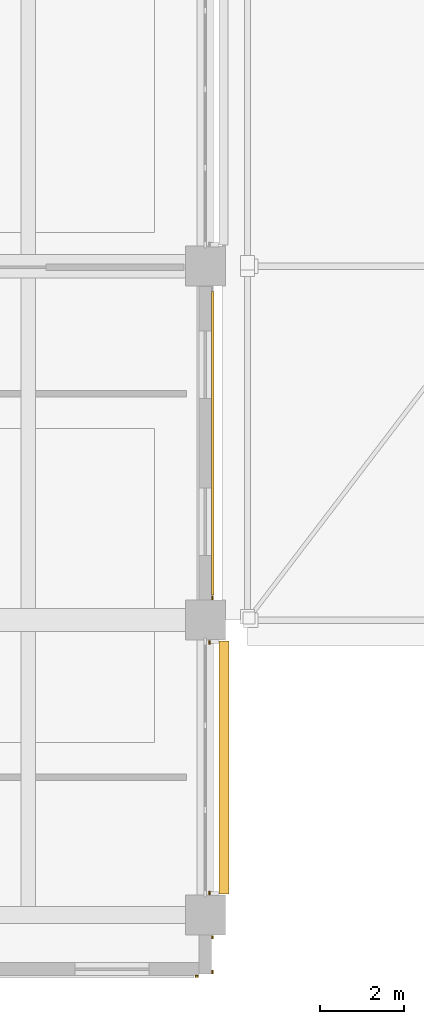
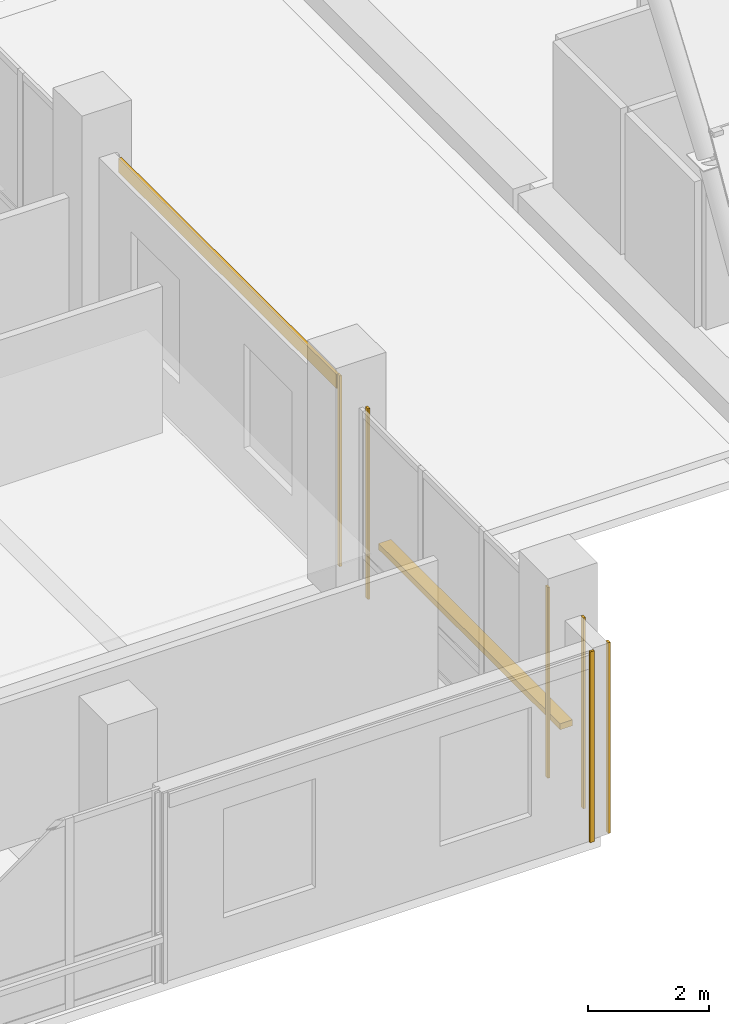
# One storey, part 110 of 128: 7 coverings, 1 shading device.
"""IFC4 building model written with IfcOpenShell, lengths in metres."""

from ifc_helpers import new_model, si_unit, direction, frame, origin, origin_2d, place, context, subcontext, project, spatial, rectangle, extrude, material, layer, layer_set, type_object, element, save


model = new_model("IFC4")

# Units and contexts
model_context = context("Model", 3, precision=1e-05, world=origin(), true_north=direction((0.0, 1.0)))
body_context = subcontext(model_context, "Body", "Model", "MODEL_VIEW")
ifc_project = project(units=[si_unit("LENGTHUNIT", "METRE"), si_unit("AREAUNIT", "SQUARE_METRE"), si_unit("VOLUMEUNIT", "CUBIC_METRE"), si_unit("PLANEANGLEUNIT", "RADIAN"), si_unit("MASSUNIT", "GRAM", prefix="KILO")], contexts=[model_context])

# Site, building, storey
site_placement = place(None, origin())
site = spatial("IfcSite", under=ifc_project, at=site_placement, CompositionType="ELEMENT")
building_placement = place(site_placement, origin())
building = spatial("IfcBuilding", under=site, at=building_placement, Name="Telukmera Botanical Conservatory", CompositionType="ELEMENT")
storey_placement = place(building_placement, frame((0.0, 0.0, 5.39990234375)))
storey = spatial("IfcBuildingStorey", under=building, at=storey_placement, Name="L01", CompositionType="ELEMENT", Elevation=5.39990234375)

# Coverings
ifc_material_1 = material(Name="Granite-faced precast concrete C40/50", Category="masonry")
ifc_layer_1 = layer(ifc_material_1, 0.0400390625)
ifc_layer_set_1 = layer_set([ifc_layer_1], Name="Granite-faced precast concrete C40/50")
covering_type_1 = type_object("IfcCoveringType", Name="Granite Precast Column Pier Reveal Casing", PredefinedType="CLADDING", material=ifc_layer_set_1)
for number, where, z_axis, x_axis, name in (
    (1, (109.3701171875, 9.25, 0.0), (0.0, 0.0, 1.0), (0.0, 1.0, 0.0), "Granite Pier Reveal V4:L01:SEC L"),
    (2, (109.3701171875, 10.072998046875, 0.0), (0.0, 0.0, 1.0), (0.0, 1.0, 0.0), "Granite Pier Reveal V4:L01:SEC R"),
    (3, (108.998046875, 9.14990234375, 0.0), (0.0, 0.0, 1.0), (1.0, 0.0, 0.0), "Granite Pier Reveal V4:L01:S7 R"),
    (4, (109.300048828125, 11.126953125, 0.0), (0.0, 0.0, 1.0), (0.0, 1.0, 0.0), "Granite Pier Reveal V4:L01:E1 L"),
    (5, (109.300048828125, 17.072998046875, 0.0), (0.0, 0.0, 1.0), (0.0, 1.0, 0.0), "Granite Pier Reveal V4:L01:E1 R"),
    (6, (109.3701171875, 18.126953125, 0.0), (0.0, 0.0, 1.0), (0.0, 1.0, 0.0), "Granite Pier Reveal V4:L01:E2 L"),
):
    element("IfcCovering", number, at=place(storey_placement, frame(where, z_axis=z_axis, x_axis=x_axis)), inside=storey, type_object=covering_type_1, Name=name, PredefinedType="CLADDING", context=body_context, shape_type="SweptSolid", body=[
        extrude(rectangle(XDim=0.080078125, YDim=0.0400390625, at=origin_2d()), origin(), (0.0, 0.0, 1.0), 3.85009765625),
    ])

# Shading device
ifc_material_2 = material(Name="Perforated terracotta-anodised aluminium 6063-T6", Category="masonry")
ifc_layer_2 = layer(ifc_material_2, 0.044921875)
ifc_layer_set_2 = layer_set([ifc_layer_2], Name="Perforated terracotta-anodised aluminium 6063-T6")
shading_device_type = type_object("IfcShadingDeviceType", Name="Perforated Terracotta Aluminium Monsoon Brise Soleil", PredefinedType="JALOUSIE", material=ifc_layer_set_2)
shading_device_placement = place(storey_placement, frame((109.639892578125, 14.10009765625, 0.89013671875), z_axis=(0.0, 0.0, 1.0), x_axis=(0.0, 1.0, 0.0)))
element("IfcShadingDevice", 7, at=shading_device_placement, inside=storey, type_object=shading_device_type, Name="Monsoon Shading BS01 V4:L01:E1", PredefinedType="JALOUSIE", context=body_context, shape_type="SweptSolid", body=[
    extrude(rectangle(XDim=6.006103515625, YDim=0.239990234375, at=origin_2d()), origin(), (0.0, 0.0, 1.0), 0.1201171875),
])

# Covering
ifc_material_3 = material(Name="Terracotta-faced precast concrete C40/50", Category="masonry")
ifc_layer_3 = layer(ifc_material_3, 0.06005859375)
ifc_layer_set_3 = layer_set([ifc_layer_3], Name="Terracotta-faced precast concrete C40/50")
covering_type_2 = type_object("IfcCoveringType", Name="Polychrome Terracotta Facade Band Cladding", PredefinedType="CLADDING", material=ifc_layer_set_3)
covering_placement = place(storey_placement, frame((109.3798828125, 21.800048828125, 3.5302734375), z_axis=(0.0, 0.0, 1.0), x_axis=(0.0, 1.0, 0.0)))
element("IfcCovering", 8, at=covering_placement, inside=storey, type_object=covering_type_2, Name="Polychrome Terracotta Band V4:L01:E2", PredefinedType="CLADDING", context=body_context, shape_type="SweptSolid", body=[
    extrude(rectangle(XDim=7.2060546875, YDim=0.06005859375, at=origin_2d()), origin(), (0.0, 0.0, 1.0), 0.280029296875),
])

save(model, "model.ifc")
